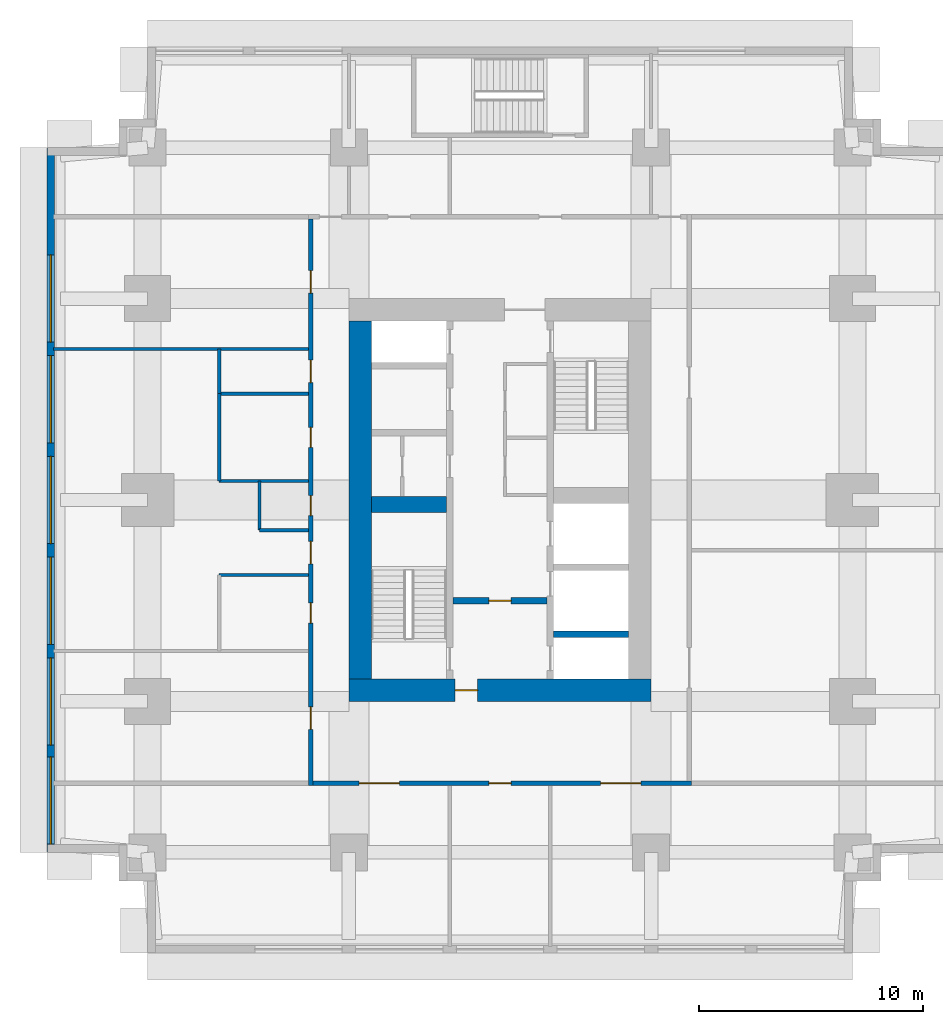
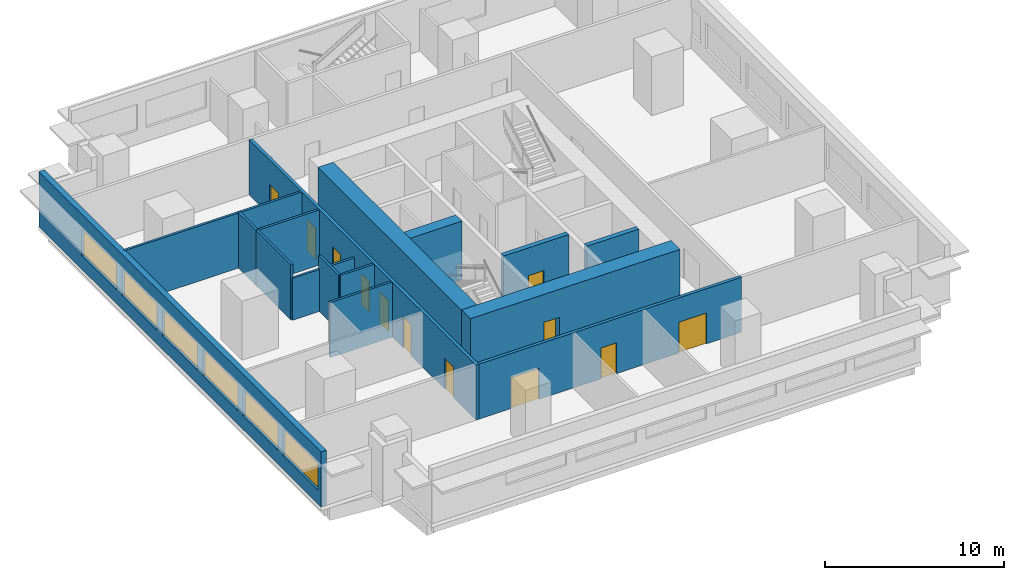
# One storey, part 3 of 11: 16 walls, 12 doors, 6 windows, 18 openings.
"""IFC4 building model written with IfcOpenShell, lengths in metres."""

from ifc_helpers import new_model, si_unit, direction, frame, frame_2d, origin, place, context, subcontext, project, spatial, rectangle, extrude, material, layer, layer_set, type_object, element, fill, save


model = new_model("IFC4")

# Units and contexts
model_context = context("Model", 3, precision=1e-05, world=origin(), true_north=direction((0.0, 1.0)))
body_context = subcontext(model_context, "Body", "Model", "MODEL_VIEW")
ifc_project = project(units=[si_unit("LENGTHUNIT", "METRE"), si_unit("AREAUNIT", "SQUARE_METRE"), si_unit("VOLUMEUNIT", "CUBIC_METRE"), si_unit("PLANEANGLEUNIT", "RADIAN"), si_unit("MASSUNIT", "GRAM", prefix="KILO")], contexts=[model_context])

# Site, building, storey
site_placement = place(None, origin())
site = spatial("IfcSite", under=ifc_project, at=site_placement, CompositionType="ELEMENT")
building_placement = place(site_placement, origin())
building = spatial("IfcBuilding", under=site, at=building_placement, Name="Namib Vertical Campus", CompositionType="ELEMENT")
storey_placement = place(building_placement, frame((0.0, 0.0, 189.0)))
storey = spatial("IfcBuildingStorey", under=building, at=storey_placement, Name="L44", CompositionType="ELEMENT", Elevation=189.0)

# Wall, opening, door
ifc_material_1 = material(Name="Concrete C60/75", Category="concrete")
ifc_layer_1 = layer(ifc_material_1, 0.300048828125)
ifc_layer_set_1 = layer_set([ifc_layer_1], Name="Concrete C60/75")
wall_type_1 = type_object("IfcWallType", Name="Core inner wall 300", PredefinedType="SHEAR", material=ifc_layer_set_1)
wall_1_placement = place(storey_placement, frame((18.14990234375, 15.75, 0.0), z_axis=(0.0, 0.0, 1.0), x_axis=(1.0, 0.0, 0.0)))
wall_1 = element("IfcWall", 1, at=wall_1_placement, inside=storey, type_object=wall_type_1, Name="Core inner wall A L44 W4", PredefinedType="SHEAR", context=body_context, shape_type="SweptSolid", body=[
    extrude(rectangle(XDim=4.2001953125, YDim=0.300048828125, at=frame_2d((2.10009765625, 0.0))), origin(), (0.0, 0.0, 1.0), 4.0),
])
opening_1_placement = place(wall_1_placement, frame((1.60009765625, 0.0, 0.0)))
opening_1 = element("IfcOpeningElement", 2, at=opening_1_placement, cuts=wall_1, Name="Opening FD5", PredefinedType="OPENING", context=body_context, shape_type="SweptSolid", body=[
    extrude(rectangle(XDim=1.0, YDim=2.10009765625, at=frame_2d((0.5, 1.050048828125))), frame((0.0, 0.159912109375, 0.0), z_axis=(0.0, -1.0, 0.0), x_axis=(1.0, 0.0, 0.0)), (0.0, 0.0, 1.0), 0.320068359375),
])
ifc_material_2 = material(Name="Steel fire door", Category="steel")
door_type_1 = type_object("IfcDoorType", Name="Fire door 1000x2100 120 min", OperationType="SINGLE_SWING_RIGHT", PredefinedType="DOOR", material=ifc_material_2)
door_1_placement = place(opening_1_placement, frame((1.0, 0.0, 0.0), z_axis=(0.0, 0.0, 1.0), x_axis=(-1.0, 0.0, 0.0)))
door_1 = element("IfcDoor", 3, at=door_1_placement, inside=storey, type_object=door_type_1, Name="Lobby door FD5 A L44", OperationType="SINGLE_SWING_RIGHT", OverallHeight=2.10009765625, OverallWidth=1.0, PredefinedType="DOOR", context=body_context, shape_type="SweptSolid", body=[
    extrude(rectangle(XDim=1.0, YDim=2.10009765625, at=frame_2d((0.5, 1.050048828125))), frame((0.0, 0.02490234375, 0.0), z_axis=(0.0, -1.0, 0.0), x_axis=(1.0, 0.0, 0.0)), (0.0, 0.0, 1.0), 0.050048828125),
])
fill(opening_1, door_1)

# Walls
wall_2_placement = place(storey_placement, frame((22.64990234375, 14.25, 0.0), z_axis=(0.0, 0.0, 1.0), x_axis=(1.0, 0.0, 0.0)))
element("IfcWall", 4, at=wall_2_placement, inside=storey, type_object=wall_type_1, Name="Core inner wall A L44 W5", PredefinedType="SHEAR", context=body_context, shape_type="SweptSolid", body=[
    extrude(rectangle(XDim=3.35009765625, YDim=0.300048828125, at=frame_2d((1.675048828125, 0.0))), origin(), (0.0, 0.0, 1.0), 4.0),
])
ifc_material_3 = material(Name="Concrete C60/75", Category="concrete")
ifc_layer_2 = layer(ifc_material_3, 0.699951171875)
ifc_layer_set_2 = layer_set([ifc_layer_2], Name="Concrete C60/75")
wall_type_2 = type_object("IfcWallType", Name="Core shear wall 700", PredefinedType="SHEAR", material=ifc_layer_set_2)
wall_3_placement = place(storey_placement, frame((14.5, 20.050048828125, 0.0), z_axis=(0.0, 0.0, 1.0), x_axis=(1.0, 0.0, 0.0)))
element("IfcWall", 5, at=wall_3_placement, inside=storey, type_object=wall_type_2, Name="Core shear wall A L44 W3", PredefinedType="SHEAR", context=body_context, shape_type="SweptSolid", body=[
    extrude(rectangle(XDim=3.35009765625, YDim=0.699951171875, at=frame_2d((1.675048828125, 0.0))), origin(), (0.0, 0.0, 1.0), 4.0),
])

# Wall, opening, door
ifc_material_4 = material(Name="Concrete C60/75", Category="concrete")
ifc_layer_3 = layer(ifc_material_4, 1.0)
ifc_layer_set_3 = layer_set([ifc_layer_3], Name="Concrete C60/75")
wall_type_3 = type_object("IfcWallType", Name="Core wall 1000", PredefinedType="SHEAR", material=ifc_layer_set_3)
wall_4_placement = place(storey_placement, frame((13.5, 11.75, 0.0), z_axis=(0.0, 0.0, 1.0), x_axis=(1.0, 0.0, 0.0)))
wall_4 = element("IfcWall", 6, at=wall_4_placement, inside=storey, type_object=wall_type_3, Name="Core wall A L44 1", PredefinedType="SHEAR", context=body_context, shape_type="SweptSolid", body=[
    extrude(rectangle(XDim=13.5, YDim=1.0, at=frame_2d((6.75, 0.0))), origin(), (0.0, 0.0, 1.0), 4.0),
])
opening_2_placement = place(wall_4_placement, frame((4.75, 0.0, 0.0)))
opening_2 = element("IfcOpeningElement", 7, at=opening_2_placement, cuts=wall_4, Name="Opening FD5", PredefinedType="OPENING", context=body_context, shape_type="SweptSolid", body=[
    extrude(rectangle(XDim=1.0, YDim=2.10009765625, at=frame_2d((0.5, 1.050048828125))), frame((0.0, 0.510009765625, 0.0), z_axis=(0.0, -1.0, 0.0), x_axis=(1.0, 0.0, 0.0)), (0.0, 0.0, 1.0), 1.02001953125),
])
door_2_placement = place(opening_2_placement, origin())
door_2 = element("IfcDoor", 8, at=door_2_placement, inside=storey, type_object=door_type_1, Name="Firefighting lobby door FD5 A L44", OperationType="SINGLE_SWING_LEFT", OverallHeight=2.10009765625, OverallWidth=1.0, PredefinedType="DOOR", context=body_context, shape_type="SweptSolid", body=[
    extrude(rectangle(XDim=1.0, YDim=2.10009765625, at=frame_2d((0.5, 1.050048828125))), frame((0.0, 0.02490234375, 0.0), z_axis=(0.0, -1.0, 0.0), x_axis=(1.0, 0.0, 0.0)), (0.0, 0.0, 1.0), 0.050048828125),
])
fill(opening_2, door_2)

# Wall
wall_5_placement = place(storey_placement, frame((14.0, 28.25, 0.0), z_axis=(0.0, 0.0, 1.0), x_axis=(0.0, -1.0, 0.0)))
element("IfcWall", 9, at=wall_5_placement, inside=storey, type_object=wall_type_3, Name="Core wall A L44 4", PredefinedType="SHEAR", context=body_context, shape_type="SweptSolid", body=[
    extrude(rectangle(XDim=16.0, YDim=1.0, at=frame_2d((8.0, 0.0))), origin(), (0.0, 0.0, 1.0), 4.0),
])

# Wall, openings, doors
ifc_material_5 = material(Name="Concrete masonry", Category="masonry")
ifc_layer_4 = layer(ifc_material_5, 0.199951171875)
ifc_layer_set_4 = layer_set([ifc_layer_4], Name="Corridor wall 200")
wall_type_4 = type_object("IfcWallType", Name="Corridor wall 200", PredefinedType="SOLIDWALL", material=ifc_layer_set_4)
wall_6_placement = place(storey_placement, frame((11.89990234375, 7.60009765625, 0.0), z_axis=(0.0, 0.0, 1.0), x_axis=(1.0, 0.0, 0.0)))
wall_6 = element("IfcWall", 10, at=wall_6_placement, inside=storey, type_object=wall_type_4, Name="Corridor wall A L44 CS", PredefinedType="SOLIDWALL", context=body_context, shape_type="SweptSolid", body=[
    extrude(rectangle(XDim=16.900146484375, YDim=0.199951171875, at=frame_2d((8.4501953125, 0.0))), origin(), (0.0, 0.0, 1.0), 3.75),
])
opening_3_placement = place(wall_6_placement, frame((2.050048828125, 0.0, 0.0)))
opening_3 = element("IfcOpeningElement", 11, at=opening_3_placement, cuts=wall_6, Name="Opening CD2", PredefinedType="OPENING", context=body_context, shape_type="SweptSolid", body=[
    extrude(rectangle(XDim=1.800048828125, YDim=2.10009765625, at=frame_2d((0.89990234375, 1.050048828125))), frame((0.0, 0.10986328125, 0.0), z_axis=(0.0, -1.0, 0.0), x_axis=(1.0, 0.0, 0.0)), (0.0, 0.0, 1.0), 0.219970703125),
])
opening_4_placement = place(wall_6_placement, frame((7.85009765625, 0.0, 0.0)))
opening_4 = element("IfcOpeningElement", 12, at=opening_4_placement, cuts=wall_6, Name="Opening CD1", PredefinedType="OPENING", context=body_context, shape_type="SweptSolid", body=[
    extrude(rectangle(XDim=1.0, YDim=2.10009765625, at=frame_2d((0.5, 1.050048828125))), frame((0.0, 0.10986328125, 0.0), z_axis=(0.0, -1.0, 0.0), x_axis=(1.0, 0.0, 0.0)), (0.0, 0.0, 1.0), 0.219970703125),
])
opening_5_placement = place(wall_6_placement, frame((12.85009765625, 0.0, 0.0)))
opening_5 = element("IfcOpeningElement", 13, at=opening_5_placement, cuts=wall_6, Name="Opening CD2", PredefinedType="OPENING", context=body_context, shape_type="SweptSolid", body=[
    extrude(rectangle(XDim=1.800048828125, YDim=2.10009765625, at=frame_2d((0.89990234375, 1.050048828125))), frame((0.0, 0.10986328125, 0.0), z_axis=(0.0, -1.0, 0.0), x_axis=(1.0, 0.0, 0.0)), (0.0, 0.0, 1.0), 0.219970703125),
])
ifc_material_6 = material(Name="Timber fire door leaf", Category="wood")
door_type_2 = type_object("IfcDoorType", Name="Corridor door 1000x2100 20 min", OperationType="SINGLE_SWING_LEFT", PredefinedType="DOOR", material=ifc_material_6)
door_3_placement = place(opening_4_placement, frame((1.0, 0.0, 0.0), z_axis=(0.0, 0.0, 1.0), x_axis=(-1.0, 0.0, 0.0)))
door_3 = element("IfcDoor", 14, at=door_3_placement, inside=storey, type_object=door_type_2, Name="Door CD1 A44-02", OperationType="SINGLE_SWING_RIGHT", OverallHeight=2.10009765625, OverallWidth=1.0, PredefinedType="DOOR", context=body_context, shape_type="SweptSolid", body=[
    extrude(rectangle(XDim=1.0, YDim=2.10009765625, at=frame_2d((0.5, 1.050048828125))), frame((0.0, 0.02490234375, 0.0), z_axis=(0.0, -1.0, 0.0), x_axis=(1.0, 0.0, 0.0)), (0.0, 0.0, 1.0), 0.050048828125),
])
fill(opening_4, door_3)
ifc_material_7 = material(Name="Timber fire door leaf", Category="wood")
door_type_3 = type_object("IfcDoorType", Name="Corridor door double 1800x2100 20 min", OperationType="DOUBLE_DOOR_SINGLE_SWING", PredefinedType="DOOR", material=ifc_material_7)
door_4_placement = place(opening_3_placement, frame((1.800048828125, 0.0, 0.0), z_axis=(0.0, 0.0, 1.0), x_axis=(-1.0, 0.0, 0.0)))
door_4 = element("IfcDoor", 15, at=door_4_placement, inside=storey, type_object=door_type_3, Name="Door CD2 A44-01", OperationType="DOUBLE_DOOR_SINGLE_SWING", OverallHeight=2.10009765625, OverallWidth=1.800048828125, PredefinedType="DOOR", context=body_context, shape_type="SweptSolid", body=[
    extrude(rectangle(XDim=1.800048828125, YDim=2.10009765625, at=frame_2d((0.89990234375, 1.050048828125))), frame((0.0, 0.02490234375, 0.0), z_axis=(0.0, -1.0, 0.0), x_axis=(1.0, 0.0, 0.0)), (0.0, 0.0, 1.0), 0.050048828125),
])
fill(opening_3, door_4)
door_5_placement = place(opening_5_placement, frame((1.800048828125, 0.0, 0.0), z_axis=(0.0, 0.0, 1.0), x_axis=(-1.0, 0.0, 0.0)))
door_5 = element("IfcDoor", 16, at=door_5_placement, inside=storey, type_object=door_type_3, Name="Door CD2 A44-03", OperationType="DOUBLE_DOOR_SINGLE_SWING", OverallHeight=2.10009765625, OverallWidth=1.800048828125, PredefinedType="DOOR", context=body_context, shape_type="SweptSolid", body=[
    extrude(rectangle(XDim=1.800048828125, YDim=2.10009765625, at=frame_2d((0.89990234375, 1.050048828125))), frame((0.0, 0.02490234375, 0.0), z_axis=(0.0, -1.0, 0.0), x_axis=(1.0, 0.0, 0.0)), (0.0, 0.0, 1.0), 0.050048828125),
])
fill(opening_5, door_5)

wall_7_placement = place(storey_placement, frame((11.800048828125, 32.800048828125, 0.0), z_axis=(0.0, 0.0, 1.0), x_axis=(0.0, -1.0, 0.0)))
wall_7 = element("IfcWall", 17, at=wall_7_placement, inside=storey, type_object=wall_type_4, Name="Corridor wall A L44 CW", PredefinedType="SOLIDWALL", context=body_context, shape_type="SweptSolid", body=[
    extrude(rectangle(XDim=25.300048828125, YDim=0.199951171875, at=frame_2d((12.64990234375, 0.0))), origin(), (0.0, 0.0, 1.0), 3.75),
])
opening_6_placement = place(wall_7_placement, frame((21.800048828125, 0.0, 0.0)))
opening_6 = element("IfcOpeningElement", 18, at=opening_6_placement, cuts=wall_7, Name="Opening CD1", PredefinedType="OPENING", context=body_context, shape_type="SweptSolid", body=[
    extrude(rectangle(XDim=1.0, YDim=2.10009765625, at=frame_2d((0.5, 1.050048828125))), frame((0.0, 0.10986328125, 0.0), z_axis=(0.0, -1.0, 0.0), x_axis=(1.0, 0.0, 0.0)), (0.0, 0.0, 1.0), 0.219970703125),
])
opening_7_placement = place(wall_7_placement, frame((17.14990234375, 0.0, 0.0)))
opening_7 = element("IfcOpeningElement", 19, at=opening_7_placement, cuts=wall_7, Name="Opening CD3", PredefinedType="OPENING", context=body_context, shape_type="SweptSolid", body=[
    extrude(rectangle(XDim=0.89990234375, YDim=2.10009765625, at=frame_2d((0.449951171875, 1.050048828125))), frame((0.0, 0.10986328125, 0.0), z_axis=(0.0, -1.0, 0.0), x_axis=(1.0, 0.0, 0.0)), (0.0, 0.0, 1.0), 0.219970703125),
])
opening_8_placement = place(wall_7_placement, frame((12.35009765625, 0.0, 0.0)))
opening_8 = element("IfcOpeningElement", 20, at=opening_8_placement, cuts=wall_7, Name="Opening CD3", PredefinedType="OPENING", context=body_context, shape_type="SweptSolid", body=[
    extrude(rectangle(XDim=0.89990234375, YDim=2.10009765625, at=frame_2d((0.449951171875, 1.050048828125))), frame((0.0, 0.10986328125, 0.0), z_axis=(0.0, -1.0, 0.0), x_axis=(1.0, 0.0, 0.0)), (0.0, 0.0, 1.0), 0.219970703125),
])
opening_9_placement = place(wall_7_placement, frame((9.300048828125, 0.0, 0.0)))
opening_9 = element("IfcOpeningElement", 21, at=opening_9_placement, cuts=wall_7, Name="Opening CD3", PredefinedType="OPENING", context=body_context, shape_type="SweptSolid", body=[
    extrude(rectangle(XDim=0.89990234375, YDim=2.10009765625, at=frame_2d((0.449951171875, 1.050048828125))), frame((0.0, 0.10986328125, 0.0), z_axis=(0.0, -1.0, 0.0), x_axis=(1.0, 0.0, 0.0)), (0.0, 0.0, 1.0), 0.219970703125),
])
opening_10_placement = place(wall_7_placement, frame((6.300048828125, 0.0, 0.0)))
opening_10 = element("IfcOpeningElement", 22, at=opening_10_placement, cuts=wall_7, Name="Opening CD1", PredefinedType="OPENING", context=body_context, shape_type="SweptSolid", body=[
    extrude(rectangle(XDim=1.0, YDim=2.10009765625, at=frame_2d((0.5, 1.050048828125))), frame((0.0, 0.10986328125, 0.0), z_axis=(0.0, -1.0, 0.0), x_axis=(1.0, 0.0, 0.0)), (0.0, 0.0, 1.0), 0.219970703125),
])
opening_11_placement = place(wall_7_placement, frame((14.39990234375, 0.0, 0.0)))
opening_11 = element("IfcOpeningElement", 23, at=opening_11_placement, cuts=wall_7, Name="Opening CD1", PredefinedType="OPENING", context=body_context, shape_type="SweptSolid", body=[
    extrude(rectangle(XDim=1.0, YDim=2.10009765625, at=frame_2d((0.5, 1.050048828125))), frame((0.0, 0.10986328125, 0.0), z_axis=(0.0, -1.0, 0.0), x_axis=(1.0, 0.0, 0.0)), (0.0, 0.0, 1.0), 0.219970703125),
])
opening_12_placement = place(wall_7_placement, frame((2.300048828125, 0.0, 0.0)))
opening_12 = element("IfcOpeningElement", 24, at=opening_12_placement, cuts=wall_7, Name="Opening CD1", PredefinedType="OPENING", context=body_context, shape_type="SweptSolid", body=[
    extrude(rectangle(XDim=1.0, YDim=2.10009765625, at=frame_2d((0.5, 1.050048828125))), frame((0.0, 0.10986328125, 0.0), z_axis=(0.0, -1.0, 0.0), x_axis=(1.0, 0.0, 0.0)), (0.0, 0.0, 1.0), 0.219970703125),
])
door_6_placement = place(opening_6_placement, frame((1.0, 0.0, 0.0), z_axis=(0.0, 0.0, 1.0), x_axis=(-1.0, 0.0, 0.0)))
door_6 = element("IfcDoor", 25, at=door_6_placement, inside=storey, type_object=door_type_2, Name="Door CD1 A44-10", OperationType="SINGLE_SWING_RIGHT", OverallHeight=2.10009765625, OverallWidth=1.0, PredefinedType="DOOR", context=body_context, shape_type="SweptSolid", body=[
    extrude(rectangle(XDim=1.0, YDim=2.10009765625, at=frame_2d((0.5, 1.050048828125))), frame((0.0, 0.02490234375, 0.0), z_axis=(0.0, -1.0, 0.0), x_axis=(1.0, 0.0, 0.0)), (0.0, 0.0, 1.0), 0.050048828125),
])
fill(opening_6, door_6)
door_7_placement = place(opening_10_placement, frame((1.0, 0.0, 0.0), z_axis=(0.0, 0.0, 1.0), x_axis=(-1.0, 0.0, 0.0)))
door_7 = element("IfcDoor", 26, at=door_7_placement, inside=storey, type_object=door_type_2, Name="Door CD1 A44-14", OperationType="SINGLE_SWING_RIGHT", OverallHeight=2.10009765625, OverallWidth=1.0, PredefinedType="DOOR", context=body_context, shape_type="SweptSolid", body=[
    extrude(rectangle(XDim=1.0, YDim=2.10009765625, at=frame_2d((0.5, 1.050048828125))), frame((0.0, 0.02490234375, 0.0), z_axis=(0.0, -1.0, 0.0), x_axis=(1.0, 0.0, 0.0)), (0.0, 0.0, 1.0), 0.050048828125),
])
fill(opening_10, door_7)
door_8_placement = place(opening_11_placement, frame((1.0, 0.0, 0.0), z_axis=(0.0, 0.0, 1.0), x_axis=(-1.0, 0.0, 0.0)))
door_8 = element("IfcDoor", 27, at=door_8_placement, inside=storey, type_object=door_type_2, Name="Door CD1 A44-15", OperationType="SINGLE_SWING_RIGHT", OverallHeight=2.10009765625, OverallWidth=1.0, PredefinedType="DOOR", context=body_context, shape_type="SweptSolid", body=[
    extrude(rectangle(XDim=1.0, YDim=2.10009765625, at=frame_2d((0.5, 1.050048828125))), frame((0.0, 0.02490234375, 0.0), z_axis=(0.0, -1.0, 0.0), x_axis=(1.0, 0.0, 0.0)), (0.0, 0.0, 1.0), 0.050048828125),
])
fill(opening_11, door_8)
door_9_placement = place(opening_12_placement, frame((1.0, 0.0, 0.0), z_axis=(0.0, 0.0, 1.0), x_axis=(-1.0, 0.0, 0.0)))
door_9 = element("IfcDoor", 28, at=door_9_placement, inside=storey, type_object=door_type_2, Name="Door CD1 A44-16", OperationType="SINGLE_SWING_RIGHT", OverallHeight=2.10009765625, OverallWidth=1.0, PredefinedType="DOOR", context=body_context, shape_type="SweptSolid", body=[
    extrude(rectangle(XDim=1.0, YDim=2.10009765625, at=frame_2d((0.5, 1.050048828125))), frame((0.0, 0.02490234375, 0.0), z_axis=(0.0, -1.0, 0.0), x_axis=(1.0, 0.0, 0.0)), (0.0, 0.0, 1.0), 0.050048828125),
])
fill(opening_12, door_9)
ifc_material_8 = material(Name="Timber fire door leaf", Category="wood")
door_type_4 = type_object("IfcDoorType", Name="Corridor toilet door 900x2100 20 min", OperationType="SINGLE_SWING_LEFT", PredefinedType="DOOR", material=ifc_material_8)
door_10_placement = place(opening_7_placement, frame((0.89990234375, 0.0, 0.0), z_axis=(0.0, 0.0, 1.0), x_axis=(-1.0, 0.0, 0.0)))
door_10 = element("IfcDoor", 29, at=door_10_placement, inside=storey, type_object=door_type_4, Name="Door CD3 A44-11", OperationType="SINGLE_SWING_RIGHT", OverallHeight=2.10009765625, OverallWidth=0.89990234375, PredefinedType="DOOR", context=body_context, shape_type="SweptSolid", body=[
    extrude(rectangle(XDim=0.89990234375, YDim=2.10009765625, at=frame_2d((0.449951171875, 1.050048828125))), frame((0.0, 0.02490234375, 0.0), z_axis=(0.0, -1.0, 0.0), x_axis=(1.0, 0.0, 0.0)), (0.0, 0.0, 1.0), 0.050048828125),
])
fill(opening_7, door_10)
door_11_placement = place(opening_8_placement, frame((0.89990234375, 0.0, 0.0), z_axis=(0.0, 0.0, 1.0), x_axis=(-1.0, 0.0, 0.0)))
door_11 = element("IfcDoor", 30, at=door_11_placement, inside=storey, type_object=door_type_4, Name="Door CD3 A44-12", OperationType="SINGLE_SWING_RIGHT", OverallHeight=2.10009765625, OverallWidth=0.89990234375, PredefinedType="DOOR", context=body_context, shape_type="SweptSolid", body=[
    extrude(rectangle(XDim=0.89990234375, YDim=2.10009765625, at=frame_2d((0.449951171875, 1.050048828125))), frame((0.0, 0.02490234375, 0.0), z_axis=(0.0, -1.0, 0.0), x_axis=(1.0, 0.0, 0.0)), (0.0, 0.0, 1.0), 0.050048828125),
])
fill(opening_8, door_11)
door_12_placement = place(opening_9_placement, frame((0.89990234375, 0.0, 0.0), z_axis=(0.0, 0.0, 1.0), x_axis=(-1.0, 0.0, 0.0)))
door_12 = element("IfcDoor", 31, at=door_12_placement, inside=storey, type_object=door_type_4, Name="Door CD3 A44-13", OperationType="SINGLE_SWING_RIGHT", OverallHeight=2.10009765625, OverallWidth=0.89990234375, PredefinedType="DOOR", context=body_context, shape_type="SweptSolid", body=[
    extrude(rectangle(XDim=0.89990234375, YDim=2.10009765625, at=frame_2d((0.449951171875, 1.050048828125))), frame((0.0, 0.02490234375, 0.0), z_axis=(0.0, -1.0, 0.0), x_axis=(1.0, 0.0, 0.0)), (0.0, 0.0, 1.0), 0.050048828125),
])
fill(opening_9, door_12)

# Wall, openings, windows
ifc_material_9 = material(Name="Concrete C40/50", Category="concrete")
ifc_layer_5 = layer(ifc_material_9, 0.35009765625)
ifc_layer_set_5 = layer_set([ifc_layer_5], Name="Concrete C40/50")
wall_type_5 = type_object("IfcWallType", Name="External wall 350 bush-hammered concrete", PredefinedType="STANDARD", material=ifc_layer_set_5)
wall_8_placement = place(storey_placement, frame((0.175048828125, 35.97998046875, 0.0), z_axis=(0.0, 0.0, 1.0), x_axis=(0.0, -1.0, 0.0)))
wall_8 = element("IfcWall", 32, at=wall_8_placement, inside=storey, type_object=wall_type_5, Name="External wall L44 F16", PredefinedType="STANDARD", context=body_context, shape_type="SweptSolid", body=[
    extrude(rectangle(XDim=31.4599609375, YDim=0.35009765625, at=frame_2d((15.72998046875, 0.0))), origin(), (0.0, 0.0, 1.0), 3.75),
])
opening_13_placement = place(wall_8_placement, frame((27.2099609375, 0.0, 0.949951171875)))
opening_13 = element("IfcOpeningElement", 33, at=opening_13_placement, cuts=wall_8, Name="Opening W3", PredefinedType="OPENING", context=body_context, shape_type="SweptSolid", body=[
    extrude(rectangle(XDim=3.89990234375, YDim=1.800048828125, at=frame_2d((1.949951171875, 0.89990234375))), frame((0.0, 0.18505859375, 0.0), z_axis=(0.0, -1.0, 0.0), x_axis=(1.0, 0.0, 0.0)), (0.0, 0.0, 1.0), 0.3701171875),
])
opening_14_placement = place(wall_8_placement, frame((22.780029296875, 0.0, 0.949951171875)))
opening_14 = element("IfcOpeningElement", 34, at=opening_14_placement, cuts=wall_8, Name="Opening W3", PredefinedType="OPENING", context=body_context, shape_type="SweptSolid", body=[
    extrude(rectangle(XDim=3.89990234375, YDim=1.800048828125, at=frame_2d((1.949951171875, 0.89990234375))), frame((0.0, 0.18505859375, 0.0), z_axis=(0.0, -1.0, 0.0), x_axis=(1.0, 0.0, 0.0)), (0.0, 0.0, 1.0), 0.3701171875),
])
opening_15_placement = place(wall_8_placement, frame((18.280029296875, 0.0, 0.949951171875)))
opening_15 = element("IfcOpeningElement", 35, at=opening_15_placement, cuts=wall_8, Name="Opening W3", PredefinedType="OPENING", context=body_context, shape_type="SweptSolid", body=[
    extrude(rectangle(XDim=3.89990234375, YDim=1.800048828125, at=frame_2d((1.949951171875, 0.89990234375))), frame((0.0, 0.18505859375, 0.0), z_axis=(0.0, -1.0, 0.0), x_axis=(1.0, 0.0, 0.0)), (0.0, 0.0, 1.0), 0.3701171875),
])
opening_16_placement = place(wall_8_placement, frame((13.780029296875, 0.0, 0.949951171875)))
opening_16 = element("IfcOpeningElement", 36, at=opening_16_placement, cuts=wall_8, Name="Opening W3", PredefinedType="OPENING", context=body_context, shape_type="SweptSolid", body=[
    extrude(rectangle(XDim=3.89990234375, YDim=1.800048828125, at=frame_2d((1.949951171875, 0.89990234375))), frame((0.0, 0.18505859375, 0.0), z_axis=(0.0, -1.0, 0.0), x_axis=(1.0, 0.0, 0.0)), (0.0, 0.0, 1.0), 0.3701171875),
])
opening_17_placement = place(wall_8_placement, frame((9.280029296875, 0.0, 0.949951171875)))
opening_17 = element("IfcOpeningElement", 37, at=opening_17_placement, cuts=wall_8, Name="Opening W3", PredefinedType="OPENING", context=body_context, shape_type="SweptSolid", body=[
    extrude(rectangle(XDim=3.89990234375, YDim=1.800048828125, at=frame_2d((1.949951171875, 0.89990234375))), frame((0.0, 0.18505859375, 0.0), z_axis=(0.0, -1.0, 0.0), x_axis=(1.0, 0.0, 0.0)), (0.0, 0.0, 1.0), 0.3701171875),
])
opening_18_placement = place(wall_8_placement, frame((4.780029296875, 0.0, 0.949951171875)))
opening_18 = element("IfcOpeningElement", 38, at=opening_18_placement, cuts=wall_8, Name="Opening W3", PredefinedType="OPENING", context=body_context, shape_type="SweptSolid", body=[
    extrude(rectangle(XDim=3.89990234375, YDim=1.800048828125, at=frame_2d((1.949951171875, 0.89990234375))), frame((0.0, 0.18505859375, 0.0), z_axis=(0.0, -1.0, 0.0), x_axis=(1.0, 0.0, 0.0)), (0.0, 0.0, 1.0), 0.3701171875),
])
ifc_material_10 = material(Name="Dark tinted glass in black aluminium frame", Category="aluminium")
window_type = type_object("IfcWindowType", Name="Ribbon window 3900x1800", PartitioningType="SINGLE_PANEL", PredefinedType="WINDOW", material=ifc_material_10)
window_1_placement = place(opening_13_placement, origin())
window_1 = element("IfcWindow", 39, at=window_1_placement, inside=storey, type_object=window_type, Name="Window W3 L44 F16-1", OverallHeight=1.800048828125, OverallWidth=3.89990234375, PartitioningType="SINGLE_PANEL", PredefinedType="WINDOW", context=body_context, shape_type="SweptSolid", body=[
    extrude(rectangle(XDim=3.89990234375, YDim=1.800048828125, at=frame_2d((1.949951171875, 0.89990234375))), frame((0.0, 0.030029296875, 0.0), z_axis=(0.0, -1.0, 0.0), x_axis=(1.0, 0.0, 0.0)), (0.0, 0.0, 1.0), 0.06005859375),
])
fill(opening_13, window_1)
window_2_placement = place(opening_14_placement, origin())
window_2 = element("IfcWindow", 40, at=window_2_placement, inside=storey, type_object=window_type, Name="Window W3 L44 F16-2", OverallHeight=1.800048828125, OverallWidth=3.89990234375, PartitioningType="SINGLE_PANEL", PredefinedType="WINDOW", context=body_context, shape_type="SweptSolid", body=[
    extrude(rectangle(XDim=3.89990234375, YDim=1.800048828125, at=frame_2d((1.949951171875, 0.89990234375))), frame((0.0, 0.030029296875, 0.0), z_axis=(0.0, -1.0, 0.0), x_axis=(1.0, 0.0, 0.0)), (0.0, 0.0, 1.0), 0.06005859375),
])
fill(opening_14, window_2)
window_3_placement = place(opening_15_placement, origin())
window_3 = element("IfcWindow", 41, at=window_3_placement, inside=storey, type_object=window_type, Name="Window W3 L44 F16-3", OverallHeight=1.800048828125, OverallWidth=3.89990234375, PartitioningType="SINGLE_PANEL", PredefinedType="WINDOW", context=body_context, shape_type="SweptSolid", body=[
    extrude(rectangle(XDim=3.89990234375, YDim=1.800048828125, at=frame_2d((1.949951171875, 0.89990234375))), frame((0.0, 0.030029296875, 0.0), z_axis=(0.0, -1.0, 0.0), x_axis=(1.0, 0.0, 0.0)), (0.0, 0.0, 1.0), 0.06005859375),
])
fill(opening_15, window_3)
window_4_placement = place(opening_16_placement, origin())
window_4 = element("IfcWindow", 42, at=window_4_placement, inside=storey, type_object=window_type, Name="Window W3 L44 F16-4", OverallHeight=1.800048828125, OverallWidth=3.89990234375, PartitioningType="SINGLE_PANEL", PredefinedType="WINDOW", context=body_context, shape_type="SweptSolid", body=[
    extrude(rectangle(XDim=3.89990234375, YDim=1.800048828125, at=frame_2d((1.949951171875, 0.89990234375))), frame((0.0, 0.030029296875, 0.0), z_axis=(0.0, -1.0, 0.0), x_axis=(1.0, 0.0, 0.0)), (0.0, 0.0, 1.0), 0.06005859375),
])
fill(opening_16, window_4)
window_5_placement = place(opening_17_placement, origin())
window_5 = element("IfcWindow", 43, at=window_5_placement, inside=storey, type_object=window_type, Name="Window W3 L44 F16-5", OverallHeight=1.800048828125, OverallWidth=3.89990234375, PartitioningType="SINGLE_PANEL", PredefinedType="WINDOW", context=body_context, shape_type="SweptSolid", body=[
    extrude(rectangle(XDim=3.89990234375, YDim=1.800048828125, at=frame_2d((1.949951171875, 0.89990234375))), frame((0.0, 0.030029296875, 0.0), z_axis=(0.0, -1.0, 0.0), x_axis=(1.0, 0.0, 0.0)), (0.0, 0.0, 1.0), 0.06005859375),
])
fill(opening_17, window_5)
window_6_placement = place(opening_18_placement, origin())
window_6 = element("IfcWindow", 44, at=window_6_placement, inside=storey, type_object=window_type, Name="Window W3 L44 F16-6", OverallHeight=1.800048828125, OverallWidth=3.89990234375, PartitioningType="SINGLE_PANEL", PredefinedType="WINDOW", context=body_context, shape_type="SweptSolid", body=[
    extrude(rectangle(XDim=3.89990234375, YDim=1.800048828125, at=frame_2d((1.949951171875, 0.89990234375))), frame((0.0, 0.030029296875, 0.0), z_axis=(0.0, -1.0, 0.0), x_axis=(1.0, 0.0, 0.0)), (0.0, 0.0, 1.0), 0.06005859375),
])
fill(opening_18, window_6)

# Walls
ifc_material_11 = material(Name="Gypsum board on steel studs", Category="steel")
ifc_layer_6 = layer(ifc_material_11, 0.14990234375)
ifc_layer_set_6 = layer_set([ifc_layer_6], Name="Gypsum board on steel studs")
wall_type_6 = type_object("IfcWallType", Name="Partition 150", PredefinedType="PARTITIONING", material=ifc_layer_set_6)
wall_9_placement = place(storey_placement, frame((0.300048828125, 27.0, 0.0), z_axis=(0.0, 0.0, 1.0), x_axis=(1.0, 0.0, 0.0)))
element("IfcWall", 45, at=wall_9_placement, inside=storey, type_object=wall_type_6, Name="Partition A L44 PW2", PredefinedType="PARTITIONING", context=body_context, shape_type="SweptSolid", body=[
    extrude(rectangle(XDim=11.39990234375, YDim=0.14990234375, at=frame_2d((5.699951171875, 0.0))), origin(), (0.0, 0.0, 1.0), 3.75),
])
wall_10_placement = place(storey_placement, frame((11.699951171875, 16.89990234375, 0.0), z_axis=(0.0, 0.0, 1.0), x_axis=(-1.0, 0.0, 0.0)))
element("IfcWall", 46, at=wall_10_placement, inside=storey, type_object=wall_type_6, Name="Partition A L44 WR1", PredefinedType="PARTITIONING", context=body_context, shape_type="SweptSolid", body=[
    extrude(rectangle(XDim=4.0, YDim=0.14990234375, at=frame_2d((2.0, 0.0))), origin(), (0.0, 0.0, 1.0), 3.75),
])
wall_11_placement = place(storey_placement, frame((11.699951171875, 18.89990234375, 0.0), z_axis=(0.0, 0.0, 1.0), x_axis=(-1.0, 0.0, 0.0)))
element("IfcWall", 47, at=wall_11_placement, inside=storey, type_object=wall_type_6, Name="Partition A L44 WR2", PredefinedType="PARTITIONING", context=body_context, shape_type="SweptSolid", body=[
    extrude(rectangle(XDim=2.199951171875, YDim=0.14990234375, at=frame_2d((1.10009765625, 0.0))), origin(), (0.0, 0.0, 1.0), 3.75),
])
wall_12_placement = place(storey_placement, frame((11.699951171875, 21.10009765625, 0.0), z_axis=(0.0, 0.0, 1.0), x_axis=(-1.0, 0.0, 0.0)))
element("IfcWall", 48, at=wall_12_placement, inside=storey, type_object=wall_type_6, Name="Partition A L44 WR3", PredefinedType="PARTITIONING", context=body_context, shape_type="SweptSolid", body=[
    extrude(rectangle(XDim=4.0, YDim=0.14990234375, at=frame_2d((2.0, 0.0))), origin(), (0.0, 0.0, 1.0), 2.85009765625),
])
wall_13_placement = place(storey_placement, frame((11.699951171875, 25.0, 0.0), z_axis=(0.0, 0.0, 1.0), x_axis=(-1.0, 0.0, 0.0)))
element("IfcWall", 49, at=wall_13_placement, inside=storey, type_object=wall_type_6, Name="Partition A L44 WR4", PredefinedType="PARTITIONING", context=body_context, shape_type="SweptSolid", body=[
    extrude(rectangle(XDim=4.0, YDim=0.14990234375, at=frame_2d((2.0, 0.0))), origin(), (0.0, 0.0, 1.0), 3.75),
])
wall_14_placement = place(storey_placement, frame((9.5, 18.89990234375, 0.0), z_axis=(0.0, 0.0, 1.0), x_axis=(0.0, 1.0, 0.0)))
element("IfcWall", 50, at=wall_14_placement, inside=storey, type_object=wall_type_6, Name="Partition A L44 WB2", PredefinedType="PARTITIONING", context=body_context, shape_type="SweptSolid", body=[
    extrude(rectangle(XDim=2.2001953125, YDim=0.14990234375, at=frame_2d((1.10009765625, 0.0))), origin(), (0.0, 0.0, 1.0), 3.75),
])
wall_15_placement = place(storey_placement, frame((7.699951171875, 21.10009765625, 0.0), z_axis=(0.0, 0.0, 1.0), x_axis=(0.0, 1.0, 0.0)))
element("IfcWall", 51, at=wall_15_placement, inside=storey, type_object=wall_type_6, Name="Partition A L44 WB3", PredefinedType="PARTITIONING", context=body_context, shape_type="SweptSolid", body=[
    extrude(rectangle(XDim=3.89990234375, YDim=0.14990234375, at=frame_2d((1.949951171875, 0.0))), origin(), (0.0, 0.0, 1.0), 3.75),
])
wall_16_placement = place(storey_placement, frame((7.699951171875, 25.0, 0.0), z_axis=(0.0, 0.0, 1.0), x_axis=(0.0, 1.0, 0.0)))
element("IfcWall", 52, at=wall_16_placement, inside=storey, type_object=wall_type_6, Name="Partition A L44 WB4", PredefinedType="PARTITIONING", context=body_context, shape_type="SweptSolid", body=[
    extrude(rectangle(XDim=2.0, YDim=0.14990234375, at=frame_2d((1.0, 0.0))), origin(), (0.0, 0.0, 1.0), 3.75),
])

save(model, "model.ifc")
